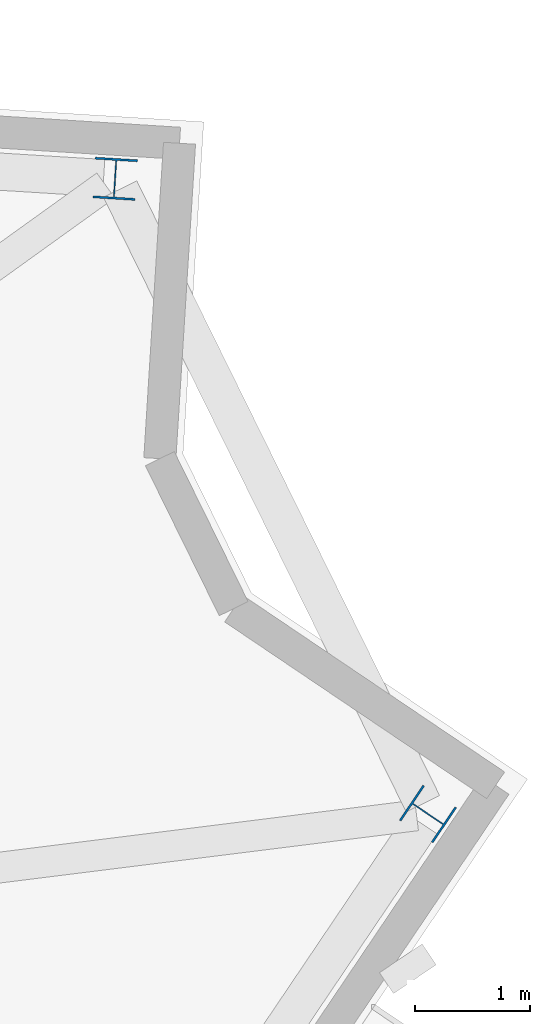
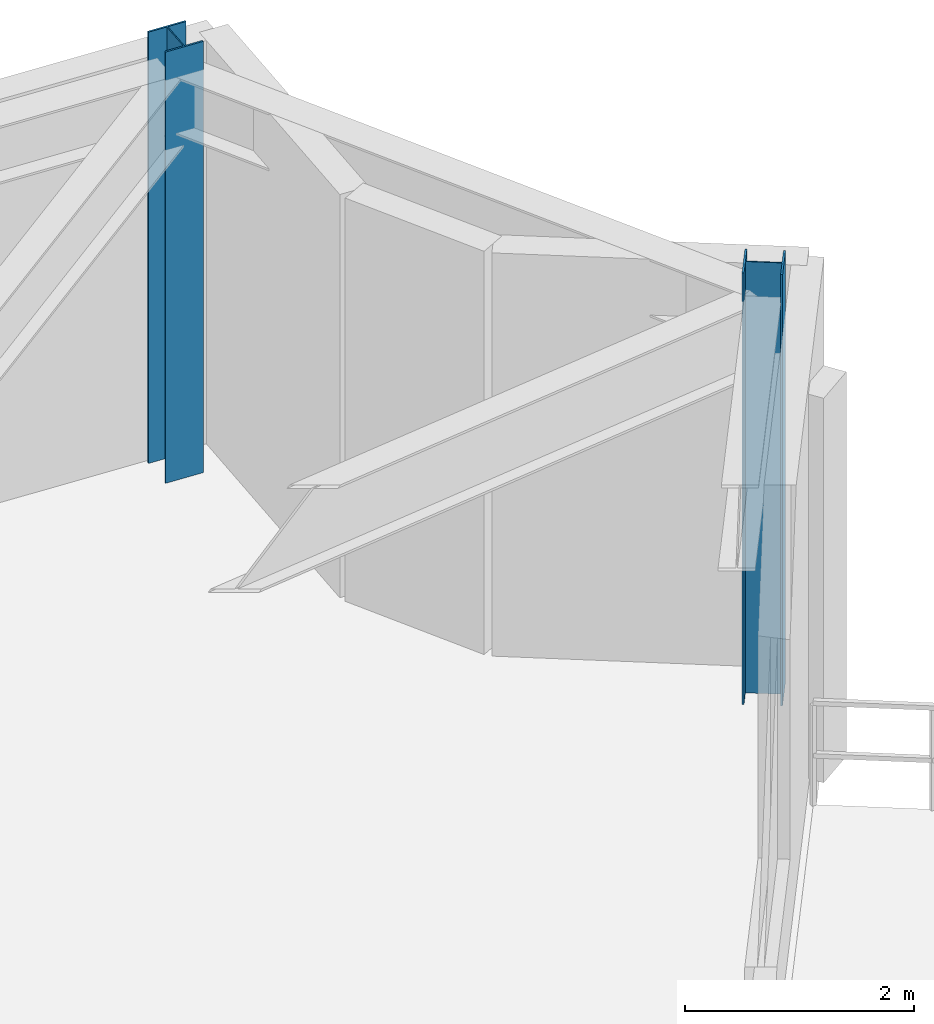
# One storey, part 3 of 15: 2 columns.
"""IFC4 building model written with IfcOpenShell, lengths in metres."""

from ifc_helpers import new_model, si_unit, direction, frame, origin, origin_2d, place, context, subcontext, project, spatial, i_section, extrude, material, material_profile, profile_set, type_object, element, save


model = new_model("IFC4")

# Units and contexts
model_context = context("Model", 3, precision=1e-05, world=origin(), true_north=direction((0.0, 1.0)))
body_context = subcontext(model_context, "Body", "Model", "MODEL_VIEW")
ifc_project = project(units=[si_unit("LENGTHUNIT", "METRE"), si_unit("AREAUNIT", "SQUARE_METRE"), si_unit("VOLUMEUNIT", "CUBIC_METRE"), si_unit("PLANEANGLEUNIT", "RADIAN"), si_unit("MASSUNIT", "GRAM", prefix="KILO")], contexts=[model_context])

# Site, building, storey
site_placement = place(None, origin())
site = spatial("IfcSite", under=ifc_project, at=site_placement, CompositionType="ELEMENT")
building_placement = place(site_placement, origin())
building = spatial("IfcBuilding", under=site, at=building_placement, Name="Apsidion Concourse Tower", CompositionType="ELEMENT")
storey_placement = place(building_placement, frame((0.0, 0.0, 323.39990234375)))
storey = spatial("IfcBuildingStorey", under=building, at=storey_placement, Name="L76", CompositionType="ELEMENT", Elevation=323.39990234375)

# Columns
ifc_material = material(Name="Structural steel ASTM A992 Grade 50", Category="steel")
ifc_material_profile = material_profile(ifc_material, i_section(OverallWidth=0.367919921875, OverallDepth=0.35595703125, WebThickness=0.01123046875, FlangeThickness=0.01806640625, at=origin_2d()), Name="W14X90")
ifc_profile_set = profile_set([ifc_material_profile], Name="Structural steel ASTM A992 Grade 50")
column_type = type_object("IfcColumnType", Name="COL-W14-90", PredefinedType="COLUMN", material=ifc_profile_set)
for number, where, z_axis, x_axis, name in (
    (1, (25.208984375, 8.83251953125, 0.0), (0.0, 0.0, 1.0), (0.559192903471, 0.829037572555, 0.0), "L76 Rotated Perimeter Column PC08"),
    (2, (22.47705078125, 14.378662109375, 0.0), (0.0, 0.0, 1.0), (-0.998081143466, 0.061919553109, 0.0), "L76 Rotated Perimeter Column PC09"),
):
    element("IfcColumn", number, at=place(storey_placement, frame(where, z_axis=z_axis, x_axis=x_axis)), inside=storey, type_object=column_type, Name=name, PredefinedType="COLUMN", context=body_context, shape_type="SweptSolid", body=[
        extrude(i_section(OverallWidth=0.367919921875, OverallDepth=0.35595703125, WebThickness=0.01123046875, FlangeThickness=0.01806640625, at=origin_2d()), origin(), (0.0, 0.0, 1.0), 4.60009765625),
    ])

save(model, "model.ifc")
